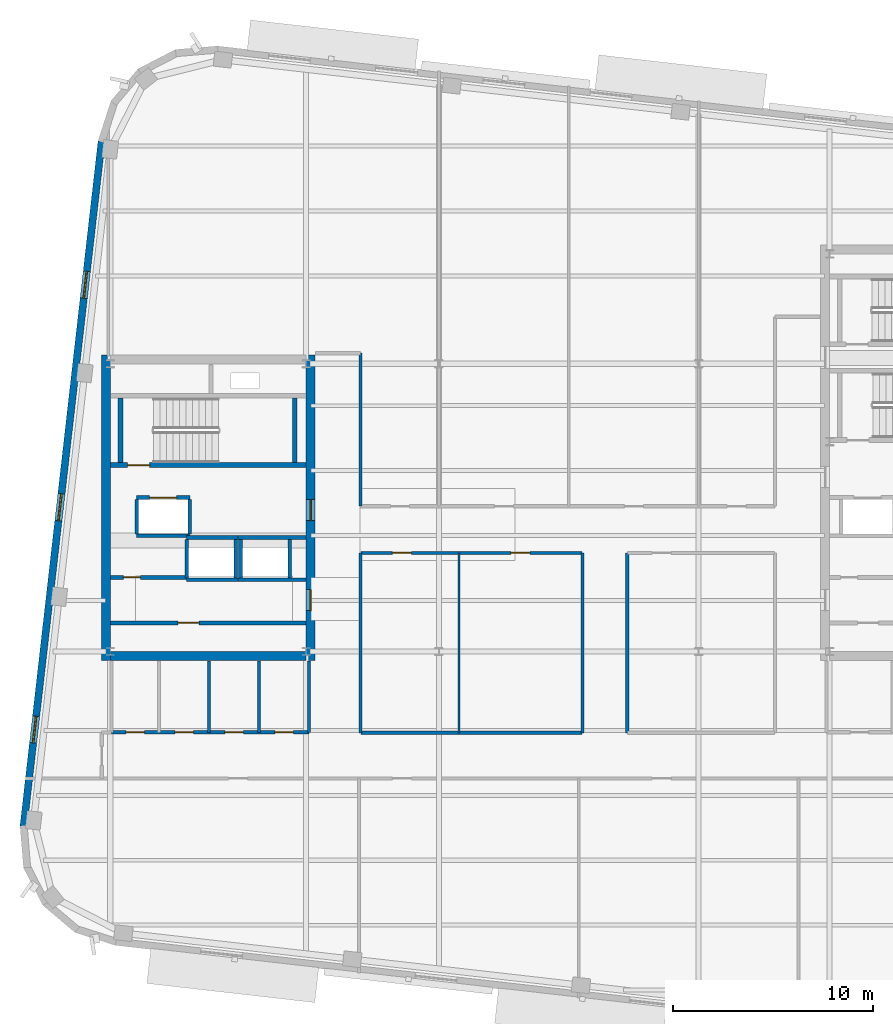
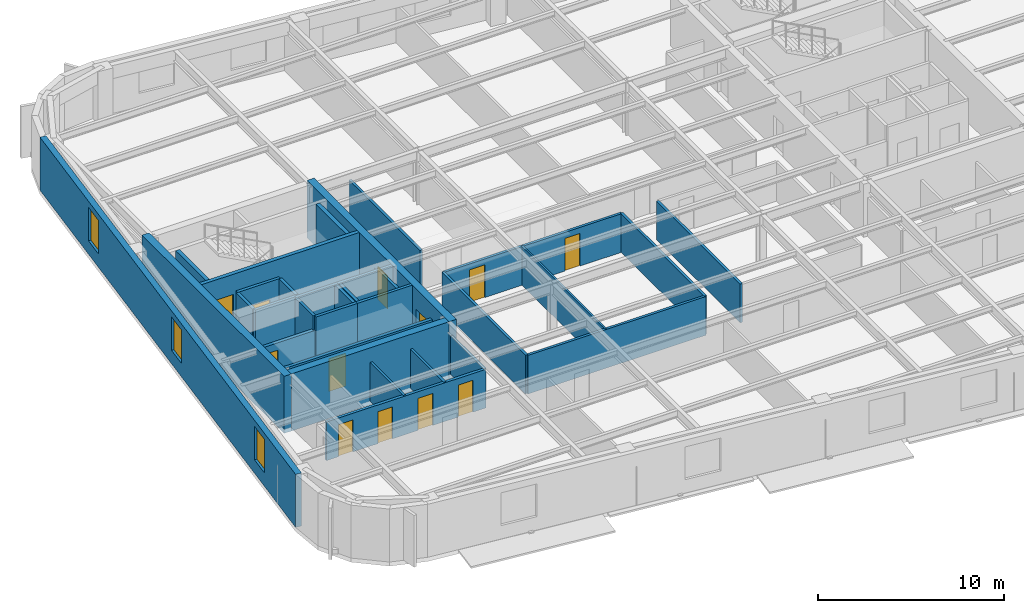
# One storey, part 6 of 14: 32 walls, 12 doors, 3 windows, 15 openings.
"""IFC4 building model written with IfcOpenShell, lengths in metres."""

from ifc_helpers import new_model, si_unit, direction, frame, frame_2d, origin, place, context, subcontext, project, spatial, rectangle, extrude, material, layer, layer_set, type_object, element, fill, save


model = new_model("IFC4")

# Units and contexts
model_context = context("Model", 3, precision=1e-05, world=origin(), true_north=direction((0.0, 1.0)))
body_context = subcontext(model_context, "Body", "Model", "MODEL_VIEW")
ifc_project = project(units=[si_unit("LENGTHUNIT", "METRE"), si_unit("AREAUNIT", "SQUARE_METRE"), si_unit("VOLUMEUNIT", "CUBIC_METRE"), si_unit("PLANEANGLEUNIT", "RADIAN"), si_unit("MASSUNIT", "GRAM", prefix="KILO")], contexts=[model_context])

# Site, building, storey
site_placement = place(None, origin())
site = spatial("IfcSite", under=ifc_project, at=site_placement, CompositionType="ELEMENT")
building_placement = place(site_placement, origin())
building = spatial("IfcBuilding", under=site, at=building_placement, Name="Kolvaren Arena Tower", CompositionType="ELEMENT")
storey_placement = place(building_placement, frame((0.0, 0.0, 224.699951171875)))
storey = spatial("IfcBuildingStorey", under=building, at=storey_placement, Name="L54", CompositionType="ELEMENT", Elevation=224.699951171875)

# Wall
ifc_material_1 = material(Name="Gypsum board acoustic assembly", Category="gypsum")
ifc_layer_1 = layer(ifc_material_1, 0.159912109375)
ifc_layer_set_1 = layer_set([ifc_layer_1], Name="Gypsum board acoustic assembly")
wall_type_1 = type_object("IfcWallType", Name="CORR-160", PredefinedType="PARTITIONING", material=ifc_layer_set_1)
wall_1_placement = place(storey_placement, frame((27.080078125, 26.719970703125, 0.0), z_axis=(0.0, 0.0, 1.0), x_axis=(0.0, 1.0, 0.0)))
element("IfcWall", 1, at=wall_1_placement, inside=storey, type_object=wall_type_1, Name="Interior Partition Wall (L54)", PredefinedType="PARTITIONING", context=body_context, shape_type="SweptSolid", body=[
    extrude(rectangle(XDim=7.659912109375, YDim=0.159912109375, at=frame_2d((3.830078125, 0.0))), origin(), (0.0, 0.0, 1.0), 2.5400390625),
])

# Wall, openings, doors
wall_2_placement = place(storey_placement, frame((27.10009765625, 24.3798828125, 0.0), z_axis=(0.0, 0.0, 1.0), x_axis=(1.0, 0.0, 0.0)))
wall_2 = element("IfcWall", 2, at=wall_2_placement, inside=storey, type_object=wall_type_1, Name="Interior Partition Wall (L54)", PredefinedType="PARTITIONING", context=body_context, shape_type="SweptSolid", body=[
    extrude(rectangle(XDim=11.059814453125, YDim=0.159912109375, at=frame_2d((5.52978515625, 0.0))), origin(), (0.0, 0.0, 1.0), 2.5400390625),
])
opening_1_placement = place(wall_2_placement, frame((1.574951171875, 0.0, 0.0)))
opening_1 = element("IfcOpeningElement", 3, at=opening_1_placement, cuts=wall_2, Name="Opening D05", PredefinedType="OPENING", context=body_context, shape_type="SweptSolid", body=[
    extrude(rectangle(XDim=0.949951171875, YDim=2.14990234375, at=frame_2d((0.47509765625, 1.074951171875))), frame((0.0, 0.08984375, 0.0), z_axis=(0.0, -1.0, 0.0), x_axis=(1.0, 0.0, 0.0)), (0.0, 0.0, 1.0), 0.179931640625),
])
opening_2_placement = place(wall_2_placement, frame((7.5048828125, 0.0, 0.0)))
opening_2 = element("IfcOpeningElement", 4, at=opening_2_placement, cuts=wall_2, Name="Opening D05", PredefinedType="OPENING", context=body_context, shape_type="SweptSolid", body=[
    extrude(rectangle(XDim=0.949951171875, YDim=2.14990234375, at=frame_2d((0.47509765625, 1.074951171875))), frame((0.0, 0.08984375, 0.0), z_axis=(0.0, -1.0, 0.0), x_axis=(1.0, 0.0, 0.0)), (0.0, 0.0, 1.0), 0.179931640625),
])
ifc_material_2 = material(Name="Solid-core oak acoustic office door", Category="wood")
door_type_1 = type_object("IfcDoorType", Name="DOOR-OF-095", OperationType="NOTDEFINED", PredefinedType="DOOR", material=ifc_material_2)
door_1_placement = place(opening_1_placement, origin())
door_1 = element("IfcDoor", 5, at=door_1_placement, inside=storey, type_object=door_type_1, Name="Client Lounge Door (L54)", OperationType="SINGLE_SWING_RIGHT", OverallHeight=2.14990234375, OverallWidth=0.949951171875, PredefinedType="DOOR", context=body_context, shape_type="SweptSolid", body=[
    extrude(rectangle(XDim=0.949951171875, YDim=2.14990234375, at=frame_2d((0.47509765625, 1.074951171875))), frame((0.0, 0.02490234375, 0.0), z_axis=(0.0, -1.0, 0.0), x_axis=(1.0, 0.0, 0.0)), (0.0, 0.0, 1.0), 0.050048828125),
])
fill(opening_1, door_1)
door_2_placement = place(opening_2_placement, origin())
door_2 = element("IfcDoor", 6, at=door_2_placement, inside=storey, type_object=door_type_1, Name="Boardroom Door (L54)", OperationType="SINGLE_SWING_LEFT", OverallHeight=2.14990234375, OverallWidth=0.949951171875, PredefinedType="DOOR", context=body_context, shape_type="SweptSolid", body=[
    extrude(rectangle(XDim=0.949951171875, YDim=2.14990234375, at=frame_2d((0.47509765625, 1.074951171875))), frame((0.0, 0.02490234375, 0.0), z_axis=(0.0, -1.0, 0.0), x_axis=(1.0, 0.0, 0.0)), (0.0, 0.0, 1.0), 0.050048828125),
])
fill(opening_2, door_2)

# Walls
wall_3_placement = place(storey_placement, frame((27.10009765625, 15.3798828125, 0.0), z_axis=(0.0, 0.0, 1.0), x_axis=(1.0, 0.0, 0.0)))
element("IfcWall", 7, at=wall_3_placement, inside=storey, type_object=wall_type_1, Name="Interior Partition Wall (L54)", PredefinedType="PARTITIONING", context=body_context, shape_type="SweptSolid", body=[
    extrude(rectangle(XDim=11.059814453125, YDim=0.159912109375, at=frame_2d((5.52978515625, 0.0))), origin(), (0.0, 0.0, 1.0), 2.5400390625),
])
for number, where, z_axis, x_axis, name in (
    (8, (38.179931640625, 15.3798828125, 0.0), (0.0, 0.0, 1.0), (0.0, 1.0, 0.0), "Interior Partition Wall (L54)"),
    (9, (40.419921875, 15.3798828125, 0.0), (0.0, 0.0, 1.0), (0.0, 1.0, 0.0), "Interior Partition Wall (L54)"),
    (10, (27.080078125, 15.3798828125, 0.0), (0.0, 0.0, 1.0), (0.0, 1.0, 0.0), "Interior Partition Wall (L54)"),
):
    element("IfcWall", number, at=place(storey_placement, frame(where, z_axis=z_axis, x_axis=x_axis)), inside=storey, type_object=wall_type_1, Name=name, PredefinedType="PARTITIONING", context=body_context, shape_type="SweptSolid", body=[
        extrude(rectangle(XDim=9.0, YDim=0.159912109375, at=frame_2d((4.5, 0.0))), origin(), (0.0, 0.0, 1.0), 2.5400390625),
    ])
ifc_material_3 = material(Name="Concrete 55 MPa", Category="concrete")
ifc_layer_2 = layer(ifc_material_3, 0.449951171875)
ifc_layer_set_2 = layer_set([ifc_layer_2], Name="Concrete 55 MPa")
wall_type_2 = type_object("IfcWallType", Name="CWALL-450", PredefinedType="SHEAR", material=ifc_layer_set_2)
wall_4_placement = place(storey_placement, frame((14.324951171875, 19.0, -0.27001953125), z_axis=(0.0, 0.0, 1.0), x_axis=(0.0, 1.0, 0.0)))
element("IfcWall", 11, at=wall_4_placement, inside=storey, type_object=wall_type_2, Name="Core Shear Wall WC-WEST (L54)", PredefinedType="SHEAR", context=body_context, shape_type="SweptSolid", body=[
    extrude(rectangle(XDim=15.300048828125, YDim=0.449951171875, at=frame_2d((7.64990234375, 0.0))), origin(), (0.0, 0.0, 1.0), 3.75),
])

# Wall, openings, doors
wall_5_placement = place(storey_placement, frame((24.574951171875, 19.0, -0.27001953125), z_axis=(0.0, 0.0, 1.0), x_axis=(0.0, 1.0, 0.0)))
wall_5 = element("IfcWall", 12, at=wall_5_placement, inside=storey, type_object=wall_type_2, Name="Core Shear Wall WC-EAST (L54)", PredefinedType="SHEAR", context=body_context, shape_type="SweptSolid", body=[
    extrude(rectangle(XDim=15.300048828125, YDim=0.449951171875, at=frame_2d((7.64990234375, 0.0))), origin(), (0.0, 0.0, 1.0), 3.75),
])
opening_3_placement = place(wall_5_placement, frame((2.5, 0.0, 0.27001953125)))
opening_3 = element("IfcOpeningElement", 13, at=opening_3_placement, cuts=wall_5, Name="Opening D04", PredefinedType="OPENING", context=body_context, shape_type="SweptSolid", body=[
    extrude(rectangle(XDim=1.050048828125, YDim=2.14990234375, at=frame_2d((0.52490234375, 1.074951171875))), frame((0.0, 0.23486328125, 0.0), z_axis=(0.0, -1.0, 0.0), x_axis=(1.0, 0.0, 0.0)), (0.0, 0.0, 1.0), 0.469970703125),
])
opening_4_placement = place(wall_5_placement, frame((7.0, 0.0, 0.27001953125)))
opening_4 = element("IfcOpeningElement", 14, at=opening_4_placement, cuts=wall_5, Name="Opening D04", PredefinedType="OPENING", context=body_context, shape_type="SweptSolid", body=[
    extrude(rectangle(XDim=1.050048828125, YDim=2.14990234375, at=frame_2d((0.52490234375, 1.074951171875))), frame((0.0, 0.23486328125, 0.0), z_axis=(0.0, -1.0, 0.0), x_axis=(1.0, 0.0, 0.0)), (0.0, 0.0, 1.0), 0.469970703125),
])
ifc_material_4 = material(Name="Fire-rated steel lobby door", Category="steel")
door_type_2 = type_object("IfcDoorType", Name="DOOR-FF-105", OperationType="NOTDEFINED", PredefinedType="DOOR", material=ifc_material_4)
door_3_placement = place(opening_3_placement, origin())
door_3 = element("IfcDoor", 15, at=door_3_placement, inside=storey, type_object=door_type_2, Name="West Lift Lobby Fire Door (L54)", OperationType="SINGLE_SWING_LEFT", OverallHeight=2.14990234375, OverallWidth=1.050048828125, PredefinedType="DOOR", context=body_context, shape_type="SweptSolid", body=[
    extrude(rectangle(XDim=1.050048828125, YDim=2.14990234375, at=frame_2d((0.52490234375, 1.074951171875))), frame((0.0, 0.02490234375, 0.0), z_axis=(0.0, -1.0, 0.0), x_axis=(1.0, 0.0, 0.0)), (0.0, 0.0, 1.0), 0.050048828125),
])
fill(opening_3, door_3)
door_4_placement = place(opening_4_placement, origin())
door_4 = element("IfcDoor", 16, at=door_4_placement, inside=storey, type_object=door_type_2, Name="West Firefighter Vestibule Door (L54)", OperationType="SINGLE_SWING_RIGHT", OverallHeight=2.14990234375, OverallWidth=1.050048828125, PredefinedType="DOOR", context=body_context, shape_type="SweptSolid", body=[
    extrude(rectangle(XDim=1.050048828125, YDim=2.14990234375, at=frame_2d((0.52490234375, 1.074951171875))), frame((0.0, 0.02490234375, 0.0), z_axis=(0.0, -1.0, 0.0), x_axis=(1.0, 0.0, 0.0)), (0.0, 0.0, 1.0), 0.050048828125),
])
fill(opening_4, door_4)

# Wall
wall_6_placement = place(storey_placement, frame((14.550048828125, 19.22509765625, -0.27001953125), z_axis=(0.0, 0.0, 1.0), x_axis=(1.0, 0.0, 0.0)))
element("IfcWall", 17, at=wall_6_placement, inside=storey, type_object=wall_type_2, Name="Core Shear Wall WC-SOUTH (L54)", PredefinedType="SHEAR", context=body_context, shape_type="SweptSolid", body=[
    extrude(rectangle(XDim=9.800048828125, YDim=0.449951171875, at=frame_2d((4.89990234375, 0.0))), origin(), (0.0, 0.0, 1.0), 3.75),
])

# Wall, openings, windows
ifc_material_5 = material(Name="Precast concrete C50/60", Category="concrete")
ifc_layer_3 = layer(ifc_material_5, 0.360107421875)
ifc_layer_set_3 = layer_set([ifc_layer_3], Name="Precast concrete C50/60")
wall_type_3 = type_object("IfcWallType", Name="EXT-PIER2", PredefinedType="SOLIDWALL", material=ifc_layer_set_3)
wall_7_placement = place(storey_placement, frame((10.211181640625, 10.70068359375, 0.0), z_axis=(0.0, 0.0, 1.0), x_axis=(0.113203107947, 0.993571867733, 0.0)))
wall_7 = element("IfcWall", 18, at=wall_7_placement, inside=storey, type_object=wall_type_3, Name="Exterior Precast Masonry-Frame Wall (L54)", PredefinedType="SOLIDWALL", context=body_context, shape_type="SweptSolid", body=[
    extrude(rectangle(XDim=34.5, YDim=0.360107421875, at=frame_2d((17.25, 0.0))), origin(), (0.0, 0.0, 1.0), 3.47998046875),
])
opening_5_placement = place(wall_7_placement, frame((4.199951171875, 0.0, 0.8798828125)))
opening_5 = element("IfcOpeningElement", 19, at=opening_5_placement, cuts=wall_7, Name="Opening W04", PredefinedType="OPENING", context=body_context, shape_type="SweptSolid", body=[
    extrude(rectangle(XDim=1.35009765625, YDim=2.199951171875, at=frame_2d((0.675048828125, 1.10009765625))), frame((0.0, 0.18994140625, 0.0), z_axis=(0.0, -1.0, 0.0), x_axis=(1.0, 0.0, 0.0)), (0.0, 0.0, 1.0), 0.380126953125),
])
opening_6_placement = place(wall_7_placement, frame((15.39990234375, 0.0, 0.8798828125)))
opening_6 = element("IfcOpeningElement", 20, at=opening_6_placement, cuts=wall_7, Name="Opening W04", PredefinedType="OPENING", context=body_context, shape_type="SweptSolid", body=[
    extrude(rectangle(XDim=1.35009765625, YDim=2.199951171875, at=frame_2d((0.675048828125, 1.10009765625))), frame((0.0, 0.18994140625, 0.0), z_axis=(0.0, -1.0, 0.0), x_axis=(1.0, 0.0, 0.0)), (0.0, 0.0, 1.0), 0.380126953125),
])
opening_7_placement = place(wall_7_placement, frame((26.60009765625, 0.0, 0.8798828125)))
opening_7 = element("IfcOpeningElement", 21, at=opening_7_placement, cuts=wall_7, Name="Opening W04", PredefinedType="OPENING", context=body_context, shape_type="SweptSolid", body=[
    extrude(rectangle(XDim=1.35009765625, YDim=2.199951171875, at=frame_2d((0.675048828125, 1.10009765625))), frame((0.0, 0.18994140625, 0.0), z_axis=(0.0, -1.0, 0.0), x_axis=(1.0, 0.0, 0.0)), (0.0, 0.0, 1.0), 0.380126953125),
])
ifc_material_6 = material(Name="Triple-glazed curved-facet corner window", Category="glass")
window_type = type_object("IfcWindowType", Name="WIN-CRN-A", PartitioningType="SINGLE_PANEL", PredefinedType="WINDOW", material=ifc_material_6)
window_1_placement = place(opening_5_placement, origin())
window_1 = element("IfcWindow", 22, at=window_1_placement, inside=storey, type_object=window_type, Name="End-Wall Punched Window (L54)", OverallHeight=2.199951171875, OverallWidth=1.35009765625, PartitioningType="SINGLE_PANEL", PredefinedType="WINDOW", context=body_context, shape_type="SweptSolid", body=[
    extrude(rectangle(XDim=1.35009765625, YDim=2.199951171875, at=frame_2d((0.675048828125, 1.10009765625))), frame((0.0, 0.030029296875, 0.0), z_axis=(0.0, -1.0, 0.0), x_axis=(1.0, 0.0, 0.0)), (0.0, 0.0, 1.0), 0.06005859375),
])
fill(opening_5, window_1)
window_2_placement = place(opening_6_placement, origin())
window_2 = element("IfcWindow", 23, at=window_2_placement, inside=storey, type_object=window_type, Name="End-Wall Punched Window (L54)", OverallHeight=2.199951171875, OverallWidth=1.35009765625, PartitioningType="SINGLE_PANEL", PredefinedType="WINDOW", context=body_context, shape_type="SweptSolid", body=[
    extrude(rectangle(XDim=1.35009765625, YDim=2.199951171875, at=frame_2d((0.675048828125, 1.10009765625))), frame((0.0, 0.030029296875, 0.0), z_axis=(0.0, -1.0, 0.0), x_axis=(1.0, 0.0, 0.0)), (0.0, 0.0, 1.0), 0.06005859375),
])
fill(opening_6, window_2)
window_3_placement = place(opening_7_placement, origin())
window_3 = element("IfcWindow", 24, at=window_3_placement, inside=storey, type_object=window_type, Name="End-Wall Punched Window (L54)", OverallHeight=2.199951171875, OverallWidth=1.35009765625, PartitioningType="SINGLE_PANEL", PredefinedType="WINDOW", context=body_context, shape_type="SweptSolid", body=[
    extrude(rectangle(XDim=1.35009765625, YDim=2.199951171875, at=frame_2d((0.675048828125, 1.10009765625))), frame((0.0, 0.030029296875, 0.0), z_axis=(0.0, -1.0, 0.0), x_axis=(1.0, 0.0, 0.0)), (0.0, 0.0, 1.0), 0.06005859375),
])
fill(opening_7, window_3)

# Wall, opening, door
ifc_material_7 = material(Name="Concrete 40 MPa", Category="concrete")
ifc_layer_4 = layer(ifc_material_7, 0.199951171875)
ifc_layer_set_4 = layer_set([ifc_layer_4], Name="Concrete 40 MPa")
wall_type_4 = type_object("IfcWallType", Name="LOBBY-200", PredefinedType="SOLIDWALL", material=ifc_layer_set_4)
wall_8_placement = place(storey_placement, frame((14.550048828125, 20.8798828125, 0.0), z_axis=(0.0, 0.0, 1.0), x_axis=(1.0, 0.0, 0.0)))
wall_8 = element("IfcWall", 25, at=wall_8_placement, inside=storey, type_object=wall_type_4, Name="Core Shaft Wall (L54)", PredefinedType="SOLIDWALL", context=body_context, shape_type="SweptSolid", body=[
    extrude(rectangle(XDim=9.800048828125, YDim=0.199951171875, at=frame_2d((4.89990234375, 0.0))), origin(), (0.0, 0.0, 1.0), 2.5400390625),
])
opening_8_placement = place(wall_8_placement, frame((3.39990234375, 0.0, 0.0)))
opening_8 = element("IfcOpeningElement", 26, at=opening_8_placement, cuts=wall_8, Name="Opening D04", PredefinedType="OPENING", context=body_context, shape_type="SweptSolid", body=[
    extrude(rectangle(XDim=1.050048828125, YDim=2.14990234375, at=frame_2d((0.52490234375, 1.074951171875))), frame((0.0, 0.10986328125, 0.0), z_axis=(0.0, -1.0, 0.0), x_axis=(1.0, 0.0, 0.0)), (0.0, 0.0, 1.0), 0.219970703125),
])
door_5_placement = place(opening_8_placement, origin())
door_5 = element("IfcDoor", 27, at=door_5_placement, inside=storey, type_object=door_type_2, Name="West IT Room Fire Door (L54)", OperationType="SINGLE_SWING_LEFT", OverallHeight=2.14990234375, OverallWidth=1.050048828125, PredefinedType="DOOR", context=body_context, shape_type="SweptSolid", body=[
    extrude(rectangle(XDim=1.050048828125, YDim=2.14990234375, at=frame_2d((0.52490234375, 1.074951171875))), frame((0.0, 0.02490234375, 0.0), z_axis=(0.0, -1.0, 0.0), x_axis=(1.0, 0.0, 0.0)), (0.0, 0.0, 1.0), 0.050048828125),
])
fill(opening_8, door_5)

wall_9_placement = place(storey_placement, frame((14.550048828125, 23.159912109375, 0.0), z_axis=(0.0, 0.0, 1.0), x_axis=(1.0, 0.0, 0.0)))
wall_9 = element("IfcWall", 28, at=wall_9_placement, inside=storey, type_object=wall_type_4, Name="Core Shaft Wall (L54)", PredefinedType="SOLIDWALL", context=body_context, shape_type="SweptSolid", body=[
    extrude(rectangle(XDim=3.820068359375, YDim=0.199951171875, at=frame_2d((1.91015625, 0.0))), origin(), (0.0, 0.0, 1.0), 2.5400390625),
])
opening_9_placement = place(wall_9_placement, frame((0.64990234375, 0.0, 0.0)))
opening_9 = element("IfcOpeningElement", 29, at=opening_9_placement, cuts=wall_9, Name="Opening D09", PredefinedType="OPENING", context=body_context, shape_type="SweptSolid", body=[
    extrude(rectangle(XDim=0.860107421875, YDim=2.050048828125, at=frame_2d((0.43017578125, 1.02490234375))), frame((0.0, 0.10986328125, 0.0), z_axis=(0.0, -1.0, 0.0), x_axis=(1.0, 0.0, 0.0)), (0.0, 0.0, 1.0), 0.219970703125),
])
ifc_material_8 = material(Name="Fire-rated steel riser access door", Category="steel")
door_type_3 = type_object("IfcDoorType", Name="DOOR-RS-086", OperationType="NOTDEFINED", PredefinedType="DOOR", material=ifc_material_8)
door_6_placement = place(opening_9_placement, origin())
door_6 = element("IfcDoor", 30, at=door_6_placement, inside=storey, type_object=door_type_3, Name="West Document Archive Riser Door (L54)", OperationType="SINGLE_SWING_RIGHT", OverallHeight=2.050048828125, OverallWidth=0.860107421875, PredefinedType="DOOR", context=body_context, shape_type="SweptSolid", body=[
    extrude(rectangle(XDim=0.860107421875, YDim=2.050048828125, at=frame_2d((0.43017578125, 1.02490234375))), frame((0.0, 0.02490234375, 0.0), z_axis=(0.0, -1.0, 0.0), x_axis=(1.0, 0.0, 0.0)), (0.0, 0.0, 1.0), 0.050048828125),
])
fill(opening_9, door_6)

# Wall
ifc_material_9 = material(Name="Gypsum board partition assembly", Category="gypsum")
ifc_layer_5 = layer(ifc_material_9, 0.114990234375)
ifc_layer_set_5 = layer_set([ifc_layer_5], Name="Gypsum board partition assembly")
wall_type_5 = type_object("IfcWallType", Name="PART-115", PredefinedType="PARTITIONING", material=ifc_layer_set_5)
wall_10_placement = place(storey_placement, frame((32.0, 15.3798828125, 0.0), z_axis=(0.0, 0.0, 1.0), x_axis=(0.0, 1.0, 0.0)))
element("IfcWall", 31, at=wall_10_placement, inside=storey, type_object=wall_type_5, Name="Interior Partition Wall (L54)", PredefinedType="PARTITIONING", context=body_context, shape_type="SweptSolid", body=[
    extrude(rectangle(XDim=9.0, YDim=0.114990234375, at=frame_2d((4.5, 0.0))), origin(), (0.0, 0.0, 1.0), 2.5400390625),
])

# Wall, opening, door
ifc_material_10 = material(Name="Concrete 45 MPa", Category="concrete")
ifc_layer_6 = layer(ifc_material_10, 0.25)
ifc_layer_set_6 = layer_set([ifc_layer_6], Name="Concrete 45 MPa")
wall_type_6 = type_object("IfcWallType", Name="SHAFT-250", PredefinedType="SOLIDWALL", material=ifc_layer_set_6)
wall_11_placement = place(storey_placement, frame((24.35009765625, 28.780029296875, 0.0), z_axis=(0.0, 0.0, 1.0), x_axis=(-1.0, 0.0, 0.0)))
wall_11 = element("IfcWall", 32, at=wall_11_placement, inside=storey, type_object=wall_type_6, Name="Core Shaft Wall (L54)", PredefinedType="SOLIDWALL", context=body_context, shape_type="SweptSolid", body=[
    extrude(rectangle(XDim=9.800048828125, YDim=0.239990234375, at=frame_2d((4.89990234375, 0.0))), origin(), (0.0, 0.0, 1.0), 3.47998046875),
])
opening_10_placement = place(wall_11_placement, frame((7.830078125, 0.0, 0.0)))
opening_10 = element("IfcOpeningElement", 33, at=opening_10_placement, cuts=wall_11, Name="Opening D03", PredefinedType="OPENING", context=body_context, shape_type="SweptSolid", body=[
    extrude(rectangle(XDim=1.10009765625, YDim=2.14990234375, at=frame_2d((0.550048828125, 1.074951171875))), frame((0.0, 0.1298828125, 0.0), z_axis=(0.0, -1.0, 0.0), x_axis=(1.0, 0.0, 0.0)), (0.0, 0.0, 1.0), 0.260009765625),
])
ifc_material_11 = material(Name="Fire-rated steel exit stair door", Category="steel")
door_type_4 = type_object("IfcDoorType", Name="DOOR-ST-110", OperationType="NOTDEFINED", PredefinedType="DOOR", material=ifc_material_11)
door_7_placement = place(opening_10_placement, origin())
door_7 = element("IfcDoor", 34, at=door_7_placement, inside=storey, type_object=door_type_4, Name="Stair ST-W1 Fire Door (L54)", OperationType="SINGLE_SWING_RIGHT", OverallHeight=2.14990234375, OverallWidth=1.10009765625, PredefinedType="DOOR", context=body_context, shape_type="SweptSolid", body=[
    extrude(rectangle(XDim=1.10009765625, YDim=2.14990234375, at=frame_2d((0.550048828125, 1.074951171875))), frame((0.0, 0.02490234375, 0.0), z_axis=(0.0, -1.0, 0.0), x_axis=(1.0, 0.0, 0.0)), (0.0, 0.0, 1.0), 0.050048828125),
])
fill(opening_10, door_7)

# Walls
for number, where, z_axis, x_axis, name in (
    (35, (15.06005859375, 28.89990234375, 0.0), (0.0, 0.0, 1.0), (0.0, 1.0, 0.0), "Core Shaft Wall (L54)"),
    (36, (23.780029296875, 28.89990234375, 0.0), (0.0, 0.0, 1.0), (0.0, 1.0, 0.0), "Core Shaft Wall (L54)"),
):
    element("IfcWall", number, at=place(storey_placement, frame(where, z_axis=z_axis, x_axis=x_axis)), inside=storey, type_object=wall_type_6, Name=name, PredefinedType="SOLIDWALL", context=body_context, shape_type="SweptSolid", body=[
        extrude(rectangle(XDim=3.22998046875, YDim=0.239990234375, at=frame_2d((1.614990234375, 0.0))), origin(), (0.0, 0.0, 1.0), 3.47998046875),
    ])
for number, where, z_axis, x_axis, name in (
    (37, (18.3701171875, 25.155029296875, 0.0), (0.0, 0.0, 1.0), (1.0, 0.0, 0.0), "Core Shaft Wall (L54)"),
    (38, (18.3701171875, 23.044921875, 0.0), (0.0, 0.0, 1.0), (1.0, 0.0, 0.0), "Core Shaft Wall (L54)"),
):
    element("IfcWall", number, at=place(storey_placement, frame(where, z_axis=z_axis, x_axis=x_axis)), inside=storey, type_object=wall_type_6, Name=name, PredefinedType="SOLIDWALL", context=body_context, shape_type="SweptSolid", body=[
        extrude(rectangle(XDim=2.579833984375, YDim=0.179931640625, at=frame_2d((1.2900390625, 0.0))), origin(), (0.0, 0.0, 1.0), 3.47998046875),
    ])
for number, where, z_axis, x_axis, name in (
    (39, (18.3701171875, 23.135009765625, 0.0), (0.0, 0.0, 1.0), (0.0, 1.0, 0.0), "Core Shaft Wall (L54)"),
    (40, (20.830078125, 23.135009765625, 0.0), (0.0, 0.0, 1.0), (0.0, 1.0, 0.0), "Core Shaft Wall (L54)"),
):
    element("IfcWall", number, at=place(storey_placement, frame(where, z_axis=z_axis, x_axis=x_axis)), inside=storey, type_object=wall_type_6, Name=name, PredefinedType="SOLIDWALL", context=body_context, shape_type="SweptSolid", body=[
        extrude(rectangle(XDim=1.929931640625, YDim=0.179931640625, at=frame_2d((0.96484375, 0.0))), origin(), (0.0, 0.0, 1.0), 3.47998046875),
    ])
for number, where, z_axis, x_axis, name in (
    (41, (20.949951171875, 25.155029296875, 0.0), (0.0, 0.0, 1.0), (1.0, 0.0, 0.0), "Core Shaft Wall (L54)"),
    (42, (20.949951171875, 23.044921875, 0.0), (0.0, 0.0, 1.0), (1.0, 0.0, 0.0), "Core Shaft Wall (L54)"),
):
    element("IfcWall", number, at=place(storey_placement, frame(where, z_axis=z_axis, x_axis=x_axis)), inside=storey, type_object=wall_type_6, Name=name, PredefinedType="SOLIDWALL", context=body_context, shape_type="SweptSolid", body=[
        extrude(rectangle(XDim=3.400146484375, YDim=0.179931640625, at=frame_2d((1.7001953125, 0.0))), origin(), (0.0, 0.0, 1.0), 3.47998046875),
    ])
for number, where, z_axis, x_axis, name in (
    (43, (21.070068359375, 23.135009765625, 0.0), (0.0, 0.0, 1.0), (0.0, 1.0, 0.0), "Core Shaft Wall (L54)"),
    (44, (23.530029296875, 23.135009765625, 0.0), (0.0, 0.0, 1.0), (0.0, 1.0, 0.0), "Core Shaft Wall (L54)"),
):
    element("IfcWall", number, at=place(storey_placement, frame(where, z_axis=z_axis, x_axis=x_axis)), inside=storey, type_object=wall_type_6, Name=name, PredefinedType="SOLIDWALL", context=body_context, shape_type="SweptSolid", body=[
        extrude(rectangle(XDim=1.929931640625, YDim=0.179931640625, at=frame_2d((0.96484375, 0.0))), origin(), (0.0, 0.0, 1.0), 3.47998046875),
    ])

# Wall, opening, door
wall_12_placement = place(storey_placement, frame((15.8701171875, 27.155029296875, 0.0), z_axis=(0.0, 0.0, 1.0), x_axis=(1.0, 0.0, 0.0)))
wall_12 = element("IfcWall", 45, at=wall_12_placement, inside=storey, type_object=wall_type_6, Name="Core Shaft Wall (L54)", PredefinedType="SOLIDWALL", context=body_context, shape_type="SweptSolid", body=[
    extrude(rectangle(XDim=2.659912109375, YDim=0.179931640625, at=frame_2d((1.330078125, 0.0))), origin(), (0.0, 0.0, 1.0), 3.47998046875),
])
opening_11_placement = place(wall_12_placement, frame((0.655029296875, 0.0, 0.0)))
opening_11 = element("IfcOpeningElement", 46, at=opening_11_placement, cuts=wall_12, Name="Opening LD2", PredefinedType="OPENING", context=body_context, shape_type="SweptSolid", body=[
    extrude(rectangle(XDim=1.35009765625, YDim=2.300048828125, at=frame_2d((0.675048828125, 1.14990234375))), frame((0.0, 0.099853515625, 0.0), z_axis=(0.0, -1.0, 0.0), x_axis=(1.0, 0.0, 0.0)), (0.0, 0.0, 1.0), 0.199951171875),
])
ifc_material_12 = material(Name="Stainless steel firefighter lift landing door", Category="steel")
door_type_5 = type_object("IfcDoorType", Name="DOOR-LD-135", OperationType="DOUBLE_DOOR_SLIDING", PredefinedType="DOOR", material=ifc_material_12)
door_8_placement = place(opening_11_placement, origin())
door_8 = element("IfcDoor", 47, at=door_8_placement, inside=storey, type_object=door_type_5, Name="Firefighter Lift FF-W1 Landing Door (L54)", OperationType="DOUBLE_DOOR_SLIDING", OverallHeight=2.300048828125, OverallWidth=1.35009765625, PredefinedType="DOOR", context=body_context, shape_type="SweptSolid", body=[
    extrude(rectangle(XDim=1.35009765625, YDim=2.300048828125, at=frame_2d((0.675048828125, 1.14990234375))), frame((0.0, 0.02490234375, 0.0), z_axis=(0.0, -1.0, 0.0), x_axis=(1.0, 0.0, 0.0)), (0.0, 0.0, 1.0), 0.050048828125),
])
fill(opening_11, door_8)

# Walls
wall_13_placement = place(storey_placement, frame((15.8701171875, 25.2451171875, 0.0), z_axis=(0.0, 0.0, 1.0), x_axis=(1.0, 0.0, 0.0)))
element("IfcWall", 48, at=wall_13_placement, inside=storey, type_object=wall_type_6, Name="Core Shaft Wall (L54)", PredefinedType="SOLIDWALL", context=body_context, shape_type="SweptSolid", body=[
    extrude(rectangle(XDim=2.659912109375, YDim=0.179931640625, at=frame_2d((1.330078125, 0.0))), origin(), (0.0, 0.0, 1.0), 3.47998046875),
])
for number, where, z_axis, x_axis, name in (
    (49, (15.8701171875, 25.3349609375, 0.0), (0.0, 0.0, 1.0), (0.0, 1.0, 0.0), "Core Shaft Wall (L54)"),
    (50, (18.530029296875, 25.3349609375, 0.0), (0.0, 0.0, 1.0), (0.0, 1.0, 0.0), "Core Shaft Wall (L54)"),
):
    element("IfcWall", number, at=place(storey_placement, frame(where, z_axis=z_axis, x_axis=x_axis)), inside=storey, type_object=wall_type_6, Name=name, PredefinedType="SOLIDWALL", context=body_context, shape_type="SweptSolid", body=[
        extrude(rectangle(XDim=1.72998046875, YDim=0.179931640625, at=frame_2d((0.864990234375, 0.0))), origin(), (0.0, 0.0, 1.0), 3.47998046875),
    ])
ifc_material_13 = material(Name="Moisture-resistant gypsum assembly", Category="gypsum")
ifc_layer_7 = layer(ifc_material_13, 0.14990234375)
ifc_layer_set_7 = layer_set([ifc_layer_7], Name="Moisture-resistant gypsum assembly")
wall_type_7 = type_object("IfcWallType", Name="WETW-150", PredefinedType="PARTITIONING", material=ifc_layer_set_7)
for number, where, z_axis, x_axis, name in (
    (51, (19.5, 15.39990234375, 0.0), (0.0, 0.0, 1.0), (0.0, 1.0, 0.0), "Interior Partition Wall (L54)"),
    (52, (22.0, 15.39990234375, 0.0), (0.0, 0.0, 1.0), (0.0, 1.0, 0.0), "Interior Partition Wall (L54)"),
):
    element("IfcWall", number, at=place(storey_placement, frame(where, z_axis=z_axis, x_axis=x_axis)), inside=storey, type_object=wall_type_7, Name=name, PredefinedType="PARTITIONING", context=body_context, shape_type="SweptSolid", body=[
        extrude(rectangle(XDim=3.580078125, YDim=0.14990234375, at=frame_2d((1.7900390625, 0.0))), origin(), (0.0, 0.0, 1.0), 2.5400390625),
    ])

# Wall, openings, doors
wall_14_placement = place(storey_placement, frame((14.60009765625, 15.39990234375, 0.0), z_axis=(0.0, 0.0, 1.0), x_axis=(1.0, 0.0, 0.0)))
wall_14 = element("IfcWall", 53, at=wall_14_placement, inside=storey, type_object=wall_type_7, Name="Interior Partition Wall (L54)", PredefinedType="PARTITIONING", context=body_context, shape_type="SweptSolid", body=[
    extrude(rectangle(XDim=9.89990234375, YDim=0.179931640625, at=frame_2d((4.949951171875, 0.0))), origin(), (0.0, 0.0, 1.0), 2.5400390625),
])
opening_12_placement = place(wall_14_placement, frame((0.739990234375, 0.0, 0.0)))
opening_12 = element("IfcOpeningElement", 54, at=opening_12_placement, cuts=wall_14, Name="Opening D07", PredefinedType="OPENING", context=body_context, shape_type="SweptSolid", body=[
    extrude(rectangle(XDim=0.919921875, YDim=2.10009765625, at=frame_2d((0.4599609375, 1.050048828125))), frame((0.0, 0.099853515625, 0.0), z_axis=(0.0, -1.0, 0.0), x_axis=(1.0, 0.0, 0.0)), (0.0, 0.0, 1.0), 0.199951171875),
])
opening_13_placement = place(wall_14_placement, frame((3.18994140625, 0.0, 0.0)))
opening_13 = element("IfcOpeningElement", 55, at=opening_13_placement, cuts=wall_14, Name="Opening D07", PredefinedType="OPENING", context=body_context, shape_type="SweptSolid", body=[
    extrude(rectangle(XDim=0.919921875, YDim=2.10009765625, at=frame_2d((0.4599609375, 1.050048828125))), frame((0.0, 0.099853515625, 0.0), z_axis=(0.0, -1.0, 0.0), x_axis=(1.0, 0.0, 0.0)), (0.0, 0.0, 1.0), 0.199951171875),
])
opening_14_placement = place(wall_14_placement, frame((5.68994140625, 0.0, 0.0)))
opening_14 = element("IfcOpeningElement", 56, at=opening_14_placement, cuts=wall_14, Name="Opening D07", PredefinedType="OPENING", context=body_context, shape_type="SweptSolid", body=[
    extrude(rectangle(XDim=0.919921875, YDim=2.10009765625, at=frame_2d((0.4599609375, 1.050048828125))), frame((0.0, 0.099853515625, 0.0), z_axis=(0.0, -1.0, 0.0), x_axis=(1.0, 0.0, 0.0)), (0.0, 0.0, 1.0), 0.199951171875),
])
opening_15_placement = place(wall_14_placement, frame((8.18994140625, 0.0, 0.0)))
opening_15 = element("IfcOpeningElement", 57, at=opening_15_placement, cuts=wall_14, Name="Opening D07", PredefinedType="OPENING", context=body_context, shape_type="SweptSolid", body=[
    extrude(rectangle(XDim=0.919921875, YDim=2.10009765625, at=frame_2d((0.4599609375, 1.050048828125))), frame((0.0, 0.099853515625, 0.0), z_axis=(0.0, -1.0, 0.0), x_axis=(1.0, 0.0, 0.0)), (0.0, 0.0, 1.0), 0.199951171875),
])
ifc_material_14 = material(Name="Laminate universal washroom door", Category="wood")
door_type_6 = type_object("IfcDoorType", Name="DOOR-WC-092", OperationType="NOTDEFINED", PredefinedType="DOOR", material=ifc_material_14)
door_9_placement = place(opening_12_placement, origin())
door_9 = element("IfcDoor", 58, at=door_9_placement, inside=storey, type_object=door_type_6, Name="Cleaner and Janitor Store Door (L54)", OperationType="SINGLE_SWING_RIGHT", OverallHeight=2.10009765625, OverallWidth=0.919921875, PredefinedType="DOOR", context=body_context, shape_type="SweptSolid", body=[
    extrude(rectangle(XDim=0.919921875, YDim=2.10009765625, at=frame_2d((0.4599609375, 1.050048828125))), frame((0.0, 0.02490234375, 0.0), z_axis=(0.0, -1.0, 0.0), x_axis=(1.0, 0.0, 0.0)), (0.0, 0.0, 1.0), 0.050048828125),
])
fill(opening_12, door_9)
door_10_placement = place(opening_13_placement, origin())
door_10 = element("IfcDoor", 59, at=door_10_placement, inside=storey, type_object=door_type_6, Name="Universal Barrier-Free Washroom Door (L54)", OperationType="SINGLE_SWING_LEFT", OverallHeight=2.10009765625, OverallWidth=0.919921875, PredefinedType="DOOR", context=body_context, shape_type="SweptSolid", body=[
    extrude(rectangle(XDim=0.919921875, YDim=2.10009765625, at=frame_2d((0.4599609375, 1.050048828125))), frame((0.0, 0.02490234375, 0.0), z_axis=(0.0, -1.0, 0.0), x_axis=(1.0, 0.0, 0.0)), (0.0, 0.0, 1.0), 0.050048828125),
])
fill(opening_13, door_10)
door_11_placement = place(opening_14_placement, origin())
door_11 = element("IfcDoor", 60, at=door_11_placement, inside=storey, type_object=door_type_6, Name="Women Restroom Door (L54)", OperationType="SINGLE_SWING_RIGHT", OverallHeight=2.10009765625, OverallWidth=0.919921875, PredefinedType="DOOR", context=body_context, shape_type="SweptSolid", body=[
    extrude(rectangle(XDim=0.919921875, YDim=2.10009765625, at=frame_2d((0.4599609375, 1.050048828125))), frame((0.0, 0.02490234375, 0.0), z_axis=(0.0, -1.0, 0.0), x_axis=(1.0, 0.0, 0.0)), (0.0, 0.0, 1.0), 0.050048828125),
])
fill(opening_14, door_11)
door_12_placement = place(opening_15_placement, origin())
door_12 = element("IfcDoor", 61, at=door_12_placement, inside=storey, type_object=door_type_6, Name="Men Restroom Door (L54)", OperationType="SINGLE_SWING_LEFT", OverallHeight=2.10009765625, OverallWidth=0.919921875, PredefinedType="DOOR", context=body_context, shape_type="SweptSolid", body=[
    extrude(rectangle(XDim=0.919921875, YDim=2.10009765625, at=frame_2d((0.4599609375, 1.050048828125))), frame((0.0, 0.02490234375, 0.0), z_axis=(0.0, -1.0, 0.0), x_axis=(1.0, 0.0, 0.0)), (0.0, 0.0, 1.0), 0.050048828125),
])
fill(opening_15, door_12)

# Wall
wall_15_placement = place(storey_placement, frame((24.5, 15.39990234375, 0.0), z_axis=(0.0, 0.0, 1.0), x_axis=(0.0, 1.0, 0.0)))
element("IfcWall", 62, at=wall_15_placement, inside=storey, type_object=wall_type_7, Name="Interior Partition Wall (L54)", PredefinedType="PARTITIONING", context=body_context, shape_type="SweptSolid", body=[
    extrude(rectangle(XDim=3.580078125, YDim=0.14990234375, at=frame_2d((1.7900390625, 0.0))), origin(), (0.0, 0.0, 1.0), 2.5400390625),
])

save(model, "model.ifc")
